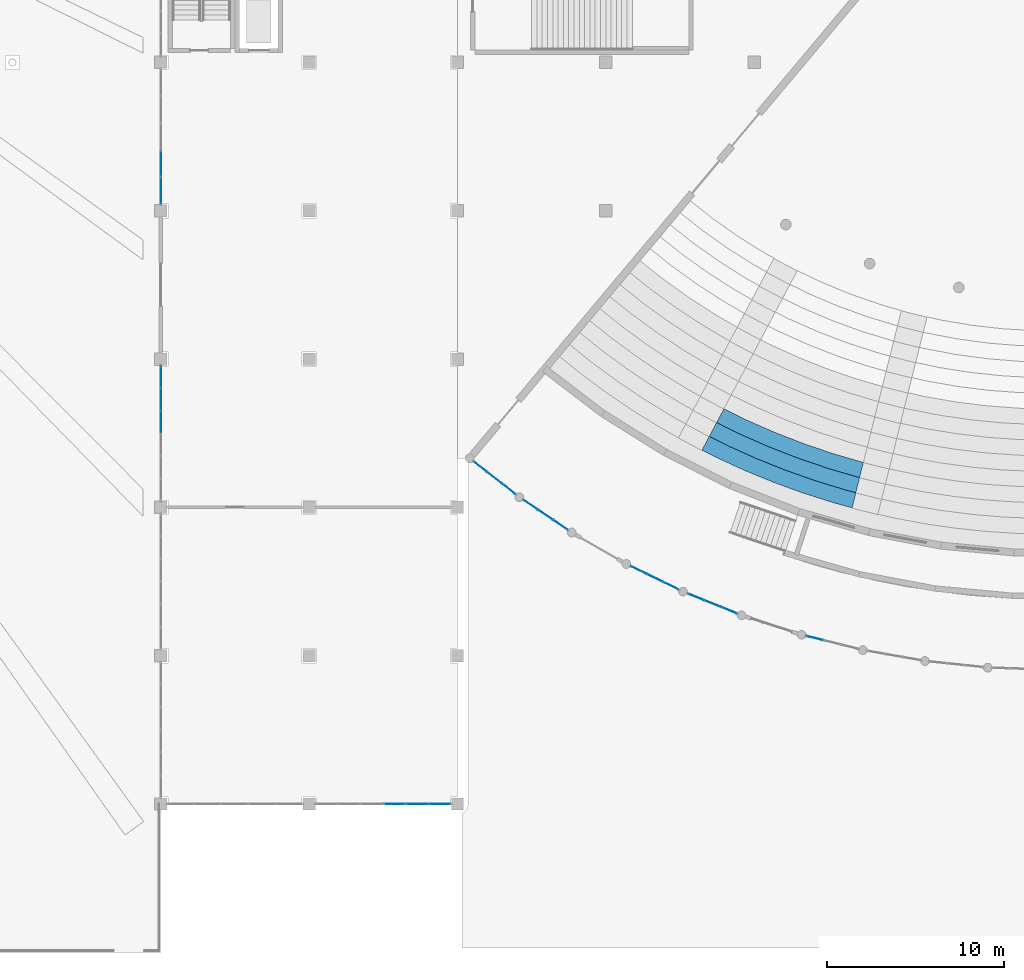
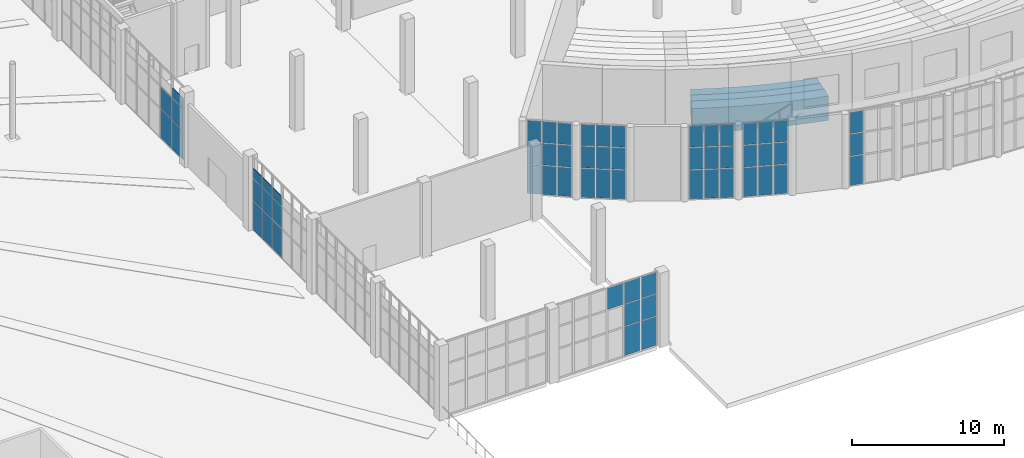
# One storey, part 84 of 210: 60 plates, 3 slabs, 8 elements without a shape of their own.
"""IFC4 building model written with IfcOpenShell, lengths in metres."""

from ifc_helpers import new_model, si_unit, direction, frame, origin, origin_2d, place, context, subcontext, project, spatial, polyline, rectangle, outline, extrude, material, layer, layer_set, type_object, element, aggregate, save


model = new_model("IFC4")

# Units and contexts
model_context = context("Model", 3, precision=1e-05, world=origin(), true_north=direction((0.0, 1.0)))
body_context = subcontext(model_context, "Body", "Model", "MODEL_VIEW")
ifc_project = project(units=[si_unit("LENGTHUNIT", "METRE"), si_unit("AREAUNIT", "SQUARE_METRE"), si_unit("VOLUMEUNIT", "CUBIC_METRE"), si_unit("PLANEANGLEUNIT", "RADIAN"), si_unit("MASSUNIT", "GRAM", prefix="KILO")], contexts=[model_context])

# Site, building, storey
site_placement = place(None, origin())
site = spatial("IfcSite", under=ifc_project, at=site_placement, CompositionType="ELEMENT")
building_placement = place(site_placement, origin())
building = spatial("IfcBuilding", under=site, at=building_placement, Name="Rain Tree Exposition and Congress Centre", CompositionType="ELEMENT")
storey_placement = place(building_placement, origin())
storey = spatial("IfcBuildingStorey", under=building, at=storey_placement, Name="L00", CompositionType="ELEMENT", Elevation=0.0)

# Curtain wall, plates
ifc_material_1 = material(Name="Aluminium", Category="aluminium")
ifc_layer_1 = layer(ifc_material_1, 0.10009765625)
ifc_layer_set_1 = layer_set([ifc_layer_1], Name="Aluminium")
curtain_wall_type = type_object("IfcCurtainWallType", Name="Curtain wall congress", PredefinedType="NOTDEFINED", material=ifc_layer_set_1)
curtain_wall_1_placement = place(storey_placement, origin())
curtain_wall_1 = element("IfcCurtainWall", 1, at=curtain_wall_1_placement, inside=storey, type_object=curtain_wall_type, Name="Curtain wall L00 bay 1", PredefinedType="NOTDEFINED")
ifc_material_2 = material(Name="Double glazed unit", Category="glass")
ifc_layer_2 = layer(ifc_material_2, 0.028076171875)
ifc_layer_set_2 = layer_set([ifc_layer_2], Name="Double glazed unit")
plate_type = type_object("IfcPlateType", Name="Glazing panel 28 congress", PredefinedType="CURTAIN_PANEL", material=ifc_layer_set_2)
plate_1_placement = place(storey_placement, frame((169.3017578125, 27.5, 0.06005859375), z_axis=(0.0, 0.0, 1.0), x_axis=(0.788003164084, -0.615671189348, 0.0)))
plate_1 = element("IfcPlate", 2, at=plate_1_placement, type_object=plate_type, Name="CWG101 panel 1.1", PredefinedType="CURTAIN_PANEL", context=body_context, shape_type="SweptSolid", body=[
    extrude(rectangle(XDim=0.9345703125, YDim=0.028076171875, at=origin_2d()), origin(), (0.0, 0.0, 1.0), 2.31005859375),
])
plate_2_placement = place(storey_placement, frame((169.3017578125, 27.5, 2.43017578125), z_axis=(0.0, 0.0, 1.0), x_axis=(0.788003164084, -0.615671189348, 0.0)))
plate_2 = element("IfcPlate", 3, at=plate_2_placement, type_object=plate_type, Name="CWG101 panel 1.2", PredefinedType="CURTAIN_PANEL", context=body_context, shape_type="SweptSolid", body=[
    extrude(rectangle(XDim=0.9345703125, YDim=0.028076171875, at=origin_2d()), origin(), (0.0, 0.0, 1.0), 1.739990234375),
])
plate_3_placement = place(storey_placement, frame((169.3017578125, 27.5, 4.22998046875), z_axis=(0.0, 0.0, 1.0), x_axis=(0.788003164084, -0.615671189348, 0.0)))
plate_3 = element("IfcPlate", 4, at=plate_3_placement, type_object=plate_type, Name="CWG101 panel 1.3", PredefinedType="CURTAIN_PANEL", context=body_context, shape_type="SweptSolid", body=[
    extrude(rectangle(XDim=0.9345703125, YDim=0.028076171875, at=origin_2d()), origin(), (0.0, 0.0, 1.0), 1.7099609375),
])
plate_4_placement = place(storey_placement, frame((170.097412109375, 26.87841796875, 0.06005859375), z_axis=(0.0, 0.0, 1.0), x_axis=(0.788003164084, -0.615671189348, 0.0)))
plate_4 = element("IfcPlate", 5, at=plate_4_placement, type_object=plate_type, Name="CWG101 panel 2.1", PredefinedType="CURTAIN_PANEL", context=body_context, shape_type="SweptSolid", body=[
    extrude(rectangle(XDim=0.964599609375, YDim=0.028076171875, at=origin_2d()), origin(), (0.0, 0.0, 1.0), 2.31005859375),
])
plate_5_placement = place(storey_placement, frame((170.097412109375, 26.87841796875, 2.43017578125), z_axis=(0.0, 0.0, 1.0), x_axis=(0.788003164084, -0.615671189348, 0.0)))
plate_5 = element("IfcPlate", 6, at=plate_5_placement, type_object=plate_type, Name="CWG101 panel 2.2", PredefinedType="CURTAIN_PANEL", context=body_context, shape_type="SweptSolid", body=[
    extrude(rectangle(XDim=0.964599609375, YDim=0.028076171875, at=origin_2d()), origin(), (0.0, 0.0, 1.0), 1.739990234375),
])
plate_6_placement = place(storey_placement, frame((170.097412109375, 26.87841796875, 4.22998046875), z_axis=(0.0, 0.0, 1.0), x_axis=(0.788003164084, -0.615671189348, 0.0)))
plate_6 = element("IfcPlate", 7, at=plate_6_placement, type_object=plate_type, Name="CWG101 panel 2.3", PredefinedType="CURTAIN_PANEL", context=body_context, shape_type="SweptSolid", body=[
    extrude(rectangle(XDim=0.964599609375, YDim=0.028076171875, at=origin_2d()), origin(), (0.0, 0.0, 1.0), 1.7099609375),
])
plate_7_placement = place(storey_placement, frame((170.892822265625, 26.2568359375, 0.06005859375), z_axis=(0.0, 0.0, 1.0), x_axis=(0.788003164084, -0.615671189348, 0.0)))
plate_7 = element("IfcPlate", 8, at=plate_7_placement, type_object=plate_type, Name="CWG101 panel 3.1", PredefinedType="CURTAIN_PANEL", context=body_context, shape_type="SweptSolid", body=[
    extrude(rectangle(XDim=0.9345703125, YDim=0.028076171875, at=origin_2d()), origin(), (0.0, 0.0, 1.0), 2.31005859375),
])
plate_8_placement = place(storey_placement, frame((170.892822265625, 26.2568359375, 2.43017578125), z_axis=(0.0, 0.0, 1.0), x_axis=(0.788003164084, -0.615671189348, 0.0)))
plate_8 = element("IfcPlate", 9, at=plate_8_placement, type_object=plate_type, Name="CWG101 panel 3.2", PredefinedType="CURTAIN_PANEL", context=body_context, shape_type="SweptSolid", body=[
    extrude(rectangle(XDim=0.9345703125, YDim=0.028076171875, at=origin_2d()), origin(), (0.0, 0.0, 1.0), 1.739990234375),
])
plate_9_placement = place(storey_placement, frame((170.892822265625, 26.2568359375, 4.22998046875), z_axis=(0.0, 0.0, 1.0), x_axis=(0.788003164084, -0.615671189348, 0.0)))
plate_9 = element("IfcPlate", 10, at=plate_9_placement, type_object=plate_type, Name="CWG101 panel 3.3", PredefinedType="CURTAIN_PANEL", context=body_context, shape_type="SweptSolid", body=[
    extrude(rectangle(XDim=0.9345703125, YDim=0.028076171875, at=origin_2d()), origin(), (0.0, 0.0, 1.0), 1.7099609375),
])
aggregate(curtain_wall_1, [plate_1, plate_2, plate_3, plate_4, plate_5, plate_6, plate_7, plate_8, plate_9])

curtain_wall_2_placement = place(storey_placement, origin())
curtain_wall_2 = element("IfcCurtainWall", 11, at=curtain_wall_2_placement, inside=storey, type_object=curtain_wall_type, Name="Curtain wall L00 bay 2", PredefinedType="NOTDEFINED")
plate_10_placement = place(storey_placement, frame((172.14990234375, 25.34375, 0.06005859375), z_axis=(0.0, 0.0, 1.0), x_axis=(0.829034948577, -0.559196793659, 0.0)))
plate_10 = element("IfcPlate", 12, at=plate_10_placement, type_object=plate_type, Name="CWG102 panel 1.1", PredefinedType="CURTAIN_PANEL", context=body_context, shape_type="SweptSolid", body=[
    extrude(rectangle(XDim=0.9345703125, YDim=0.028076171875, at=origin_2d()), origin(), (0.0, 0.0, 1.0), 2.31005859375),
])
plate_11_placement = place(storey_placement, frame((172.14990234375, 25.34375, 2.43017578125), z_axis=(0.0, 0.0, 1.0), x_axis=(0.829034948577, -0.559196793659, 0.0)))
plate_11 = element("IfcPlate", 13, at=plate_11_placement, type_object=plate_type, Name="CWG102 panel 1.2", PredefinedType="CURTAIN_PANEL", context=body_context, shape_type="SweptSolid", body=[
    extrude(rectangle(XDim=0.9345703125, YDim=0.028076171875, at=origin_2d()), origin(), (0.0, 0.0, 1.0), 1.739990234375),
])
plate_12_placement = place(storey_placement, frame((172.14990234375, 25.34375, 4.22998046875), z_axis=(0.0, 0.0, 1.0), x_axis=(0.829034948577, -0.559196793659, 0.0)))
plate_12 = element("IfcPlate", 14, at=plate_12_placement, type_object=plate_type, Name="CWG102 panel 1.3", PredefinedType="CURTAIN_PANEL", context=body_context, shape_type="SweptSolid", body=[
    extrude(rectangle(XDim=0.9345703125, YDim=0.028076171875, at=origin_2d()), origin(), (0.0, 0.0, 1.0), 1.7099609375),
])
plate_13_placement = place(storey_placement, frame((172.98681640625, 24.779052734375, 0.06005859375), z_axis=(0.0, 0.0, 1.0), x_axis=(0.829034948577, -0.559196793659, 0.0)))
plate_13 = element("IfcPlate", 15, at=plate_13_placement, type_object=plate_type, Name="CWG102 panel 2.1", PredefinedType="CURTAIN_PANEL", context=body_context, shape_type="SweptSolid", body=[
    extrude(rectangle(XDim=0.964599609375, YDim=0.028076171875, at=origin_2d()), origin(), (0.0, 0.0, 1.0), 2.31005859375),
])
plate_14_placement = place(storey_placement, frame((172.98681640625, 24.779052734375, 2.43017578125), z_axis=(0.0, 0.0, 1.0), x_axis=(0.829034948577, -0.559196793659, 0.0)))
plate_14 = element("IfcPlate", 16, at=plate_14_placement, type_object=plate_type, Name="CWG102 panel 2.2", PredefinedType="CURTAIN_PANEL", context=body_context, shape_type="SweptSolid", body=[
    extrude(rectangle(XDim=0.964599609375, YDim=0.028076171875, at=origin_2d()), origin(), (0.0, 0.0, 1.0), 1.739990234375),
])
plate_15_placement = place(storey_placement, frame((172.98681640625, 24.779052734375, 4.22998046875), z_axis=(0.0, 0.0, 1.0), x_axis=(0.829034948577, -0.559196793659, 0.0)))
plate_15 = element("IfcPlate", 17, at=plate_15_placement, type_object=plate_type, Name="CWG102 panel 2.3", PredefinedType="CURTAIN_PANEL", context=body_context, shape_type="SweptSolid", body=[
    extrude(rectangle(XDim=0.964599609375, YDim=0.028076171875, at=origin_2d()), origin(), (0.0, 0.0, 1.0), 1.7099609375),
])
plate_16_placement = place(storey_placement, frame((173.82373046875, 24.214599609375, 0.06005859375), z_axis=(0.0, 0.0, 1.0), x_axis=(0.829034948577, -0.559196793659, 0.0)))
plate_16 = element("IfcPlate", 18, at=plate_16_placement, type_object=plate_type, Name="CWG102 panel 3.1", PredefinedType="CURTAIN_PANEL", context=body_context, shape_type="SweptSolid", body=[
    extrude(rectangle(XDim=0.9345703125, YDim=0.028076171875, at=origin_2d()), origin(), (0.0, 0.0, 1.0), 2.31005859375),
])
plate_17_placement = place(storey_placement, frame((173.82373046875, 24.214599609375, 2.43017578125), z_axis=(0.0, 0.0, 1.0), x_axis=(0.829034948577, -0.559196793659, 0.0)))
plate_17 = element("IfcPlate", 19, at=plate_17_placement, type_object=plate_type, Name="CWG102 panel 3.2", PredefinedType="CURTAIN_PANEL", context=body_context, shape_type="SweptSolid", body=[
    extrude(rectangle(XDim=0.9345703125, YDim=0.028076171875, at=origin_2d()), origin(), (0.0, 0.0, 1.0), 1.739990234375),
])
plate_18_placement = place(storey_placement, frame((173.82373046875, 24.214599609375, 4.22998046875), z_axis=(0.0, 0.0, 1.0), x_axis=(0.829034948577, -0.559196793659, 0.0)))
plate_18 = element("IfcPlate", 20, at=plate_18_placement, type_object=plate_type, Name="CWG102 panel 3.3", PredefinedType="CURTAIN_PANEL", context=body_context, shape_type="SweptSolid", body=[
    extrude(rectangle(XDim=0.9345703125, YDim=0.028076171875, at=origin_2d()), origin(), (0.0, 0.0, 1.0), 1.7099609375),
])
aggregate(curtain_wall_2, [plate_10, plate_11, plate_12, plate_13, plate_14, plate_15, plate_16, plate_17, plate_18])

curtain_wall_3_placement = place(storey_placement, origin())
curtain_wall_3 = element("IfcCurtainWall", 21, at=curtain_wall_3_placement, inside=storey, type_object=curtain_wall_type, Name="Curtain wall L00 bay 4", PredefinedType="NOTDEFINED")
plate_19_placement = place(storey_placement, frame((178.26171875, 21.65234375, 0.06005859375), z_axis=(0.0, 0.0, 1.0), x_axis=(0.898795334475, -0.438368505628, 0.0)))
plate_19 = element("IfcPlate", 22, at=plate_19_placement, type_object=plate_type, Name="CWG104 panel 1.1", PredefinedType="CURTAIN_PANEL", context=body_context, shape_type="SweptSolid", body=[
    extrude(rectangle(XDim=0.9345703125, YDim=0.028076171875, at=origin_2d()), origin(), (0.0, 0.0, 1.0), 2.31005859375),
])
plate_20_placement = place(storey_placement, frame((178.26171875, 21.65234375, 2.43017578125), z_axis=(0.0, 0.0, 1.0), x_axis=(0.898795334475, -0.438368505628, 0.0)))
plate_20 = element("IfcPlate", 23, at=plate_20_placement, type_object=plate_type, Name="CWG104 panel 1.2", PredefinedType="CURTAIN_PANEL", context=body_context, shape_type="SweptSolid", body=[
    extrude(rectangle(XDim=0.9345703125, YDim=0.028076171875, at=origin_2d()), origin(), (0.0, 0.0, 1.0), 1.739990234375),
])
plate_21_placement = place(storey_placement, frame((178.26171875, 21.65234375, 4.22998046875), z_axis=(0.0, 0.0, 1.0), x_axis=(0.898795334475, -0.438368505628, 0.0)))
plate_21 = element("IfcPlate", 24, at=plate_21_placement, type_object=plate_type, Name="CWG104 panel 1.3", PredefinedType="CURTAIN_PANEL", context=body_context, shape_type="SweptSolid", body=[
    extrude(rectangle(XDim=0.9345703125, YDim=0.028076171875, at=origin_2d()), origin(), (0.0, 0.0, 1.0), 1.7099609375),
])
plate_22_placement = place(storey_placement, frame((179.169189453125, 21.209716796875, 0.06005859375), z_axis=(0.0, 0.0, 1.0), x_axis=(0.898795334475, -0.438368505628, 0.0)))
plate_22 = element("IfcPlate", 25, at=plate_22_placement, type_object=plate_type, Name="CWG104 panel 2.1", PredefinedType="CURTAIN_PANEL", context=body_context, shape_type="SweptSolid", body=[
    extrude(rectangle(XDim=0.964599609375, YDim=0.028076171875, at=origin_2d()), origin(), (0.0, 0.0, 1.0), 2.31005859375),
])
plate_23_placement = place(storey_placement, frame((179.169189453125, 21.209716796875, 2.43017578125), z_axis=(0.0, 0.0, 1.0), x_axis=(0.898795334475, -0.438368505628, 0.0)))
plate_23 = element("IfcPlate", 26, at=plate_23_placement, type_object=plate_type, Name="CWG104 panel 2.2", PredefinedType="CURTAIN_PANEL", context=body_context, shape_type="SweptSolid", body=[
    extrude(rectangle(XDim=0.964599609375, YDim=0.028076171875, at=origin_2d()), origin(), (0.0, 0.0, 1.0), 1.739990234375),
])
plate_24_placement = place(storey_placement, frame((179.169189453125, 21.209716796875, 4.22998046875), z_axis=(0.0, 0.0, 1.0), x_axis=(0.898795334475, -0.438368505628, 0.0)))
plate_24 = element("IfcPlate", 27, at=plate_24_placement, type_object=plate_type, Name="CWG104 panel 2.3", PredefinedType="CURTAIN_PANEL", context=body_context, shape_type="SweptSolid", body=[
    extrude(rectangle(XDim=0.964599609375, YDim=0.028076171875, at=origin_2d()), origin(), (0.0, 0.0, 1.0), 1.7099609375),
])
plate_25_placement = place(storey_placement, frame((180.076416015625, 20.767333984375, 0.06005859375), z_axis=(0.0, 0.0, 1.0), x_axis=(0.898795334475, -0.438368505628, 0.0)))
plate_25 = element("IfcPlate", 28, at=plate_25_placement, type_object=plate_type, Name="CWG104 panel 3.1", PredefinedType="CURTAIN_PANEL", context=body_context, shape_type="SweptSolid", body=[
    extrude(rectangle(XDim=0.9345703125, YDim=0.028076171875, at=origin_2d()), origin(), (0.0, 0.0, 1.0), 2.31005859375),
])
plate_26_placement = place(storey_placement, frame((180.076416015625, 20.767333984375, 2.43017578125), z_axis=(0.0, 0.0, 1.0), x_axis=(0.898795334475, -0.438368505628, 0.0)))
plate_26 = element("IfcPlate", 29, at=plate_26_placement, type_object=plate_type, Name="CWG104 panel 3.2", PredefinedType="CURTAIN_PANEL", context=body_context, shape_type="SweptSolid", body=[
    extrude(rectangle(XDim=0.9345703125, YDim=0.028076171875, at=origin_2d()), origin(), (0.0, 0.0, 1.0), 1.739990234375),
])
plate_27_placement = place(storey_placement, frame((180.076416015625, 20.767333984375, 4.22998046875), z_axis=(0.0, 0.0, 1.0), x_axis=(0.898795334475, -0.438368505628, 0.0)))
plate_27 = element("IfcPlate", 30, at=plate_27_placement, type_object=plate_type, Name="CWG104 panel 3.3", PredefinedType="CURTAIN_PANEL", context=body_context, shape_type="SweptSolid", body=[
    extrude(rectangle(XDim=0.9345703125, YDim=0.028076171875, at=origin_2d()), origin(), (0.0, 0.0, 1.0), 1.7099609375),
])
aggregate(curtain_wall_3, [plate_19, plate_20, plate_21, plate_22, plate_23, plate_24, plate_25, plate_26, plate_27])

curtain_wall_4_placement = place(storey_placement, origin())
curtain_wall_4 = element("IfcCurtainWall", 31, at=curtain_wall_4_placement, inside=storey, type_object=curtain_wall_type, Name="Curtain wall L00 bay 5", PredefinedType="NOTDEFINED")
plate_28_placement = place(storey_placement, frame((181.495849609375, 20.13525390625, 0.06005859375), z_axis=(0.0, 0.0, 1.0), x_axis=(0.92718773506, -0.374596988714, 0.0)))
plate_28 = element("IfcPlate", 32, at=plate_28_placement, type_object=plate_type, Name="CWG105 panel 1.1", PredefinedType="CURTAIN_PANEL", context=body_context, shape_type="SweptSolid", body=[
    extrude(rectangle(XDim=0.9345703125, YDim=0.028076171875, at=origin_2d()), origin(), (0.0, 0.0, 1.0), 2.31005859375),
])
plate_29_placement = place(storey_placement, frame((181.495849609375, 20.13525390625, 2.43017578125), z_axis=(0.0, 0.0, 1.0), x_axis=(0.92718773506, -0.374596988714, 0.0)))
plate_29 = element("IfcPlate", 33, at=plate_29_placement, type_object=plate_type, Name="CWG105 panel 1.2", PredefinedType="CURTAIN_PANEL", context=body_context, shape_type="SweptSolid", body=[
    extrude(rectangle(XDim=0.9345703125, YDim=0.028076171875, at=origin_2d()), origin(), (0.0, 0.0, 1.0), 1.739990234375),
])
plate_30_placement = place(storey_placement, frame((181.495849609375, 20.13525390625, 4.22998046875), z_axis=(0.0, 0.0, 1.0), x_axis=(0.92718773506, -0.374596988714, 0.0)))
plate_30 = element("IfcPlate", 34, at=plate_30_placement, type_object=plate_type, Name="CWG105 panel 1.3", PredefinedType="CURTAIN_PANEL", context=body_context, shape_type="SweptSolid", body=[
    extrude(rectangle(XDim=0.9345703125, YDim=0.028076171875, at=origin_2d()), origin(), (0.0, 0.0, 1.0), 1.7099609375),
])
plate_31_placement = place(storey_placement, frame((182.431884765625, 19.757080078125, 0.06005859375), z_axis=(0.0, 0.0, 1.0), x_axis=(0.92718773506, -0.374596988714, 0.0)))
plate_31 = element("IfcPlate", 35, at=plate_31_placement, type_object=plate_type, Name="CWG105 panel 2.1", PredefinedType="CURTAIN_PANEL", context=body_context, shape_type="SweptSolid", body=[
    extrude(rectangle(XDim=0.964599609375, YDim=0.028076171875, at=origin_2d()), origin(), (0.0, 0.0, 1.0), 2.31005859375),
])
plate_32_placement = place(storey_placement, frame((182.431884765625, 19.757080078125, 2.43017578125), z_axis=(0.0, 0.0, 1.0), x_axis=(0.92718773506, -0.374596988714, 0.0)))
plate_32 = element("IfcPlate", 36, at=plate_32_placement, type_object=plate_type, Name="CWG105 panel 2.2", PredefinedType="CURTAIN_PANEL", context=body_context, shape_type="SweptSolid", body=[
    extrude(rectangle(XDim=0.964599609375, YDim=0.028076171875, at=origin_2d()), origin(), (0.0, 0.0, 1.0), 1.739990234375),
])
plate_33_placement = place(storey_placement, frame((182.431884765625, 19.757080078125, 4.22998046875), z_axis=(0.0, 0.0, 1.0), x_axis=(0.92718773506, -0.374596988714, 0.0)))
plate_33 = element("IfcPlate", 37, at=plate_33_placement, type_object=plate_type, Name="CWG105 panel 2.3", PredefinedType="CURTAIN_PANEL", context=body_context, shape_type="SweptSolid", body=[
    extrude(rectangle(XDim=0.964599609375, YDim=0.028076171875, at=origin_2d()), origin(), (0.0, 0.0, 1.0), 1.7099609375),
])
plate_34_placement = place(storey_placement, frame((183.367919921875, 19.37890625, 0.06005859375), z_axis=(0.0, 0.0, 1.0), x_axis=(0.92718773506, -0.374596988714, 0.0)))
plate_34 = element("IfcPlate", 38, at=plate_34_placement, type_object=plate_type, Name="CWG105 panel 3.1", PredefinedType="CURTAIN_PANEL", context=body_context, shape_type="SweptSolid", body=[
    extrude(rectangle(XDim=0.9345703125, YDim=0.028076171875, at=origin_2d()), origin(), (0.0, 0.0, 1.0), 2.31005859375),
])
plate_35_placement = place(storey_placement, frame((183.367919921875, 19.37890625, 2.43017578125), z_axis=(0.0, 0.0, 1.0), x_axis=(0.92718773506, -0.374596988714, 0.0)))
plate_35 = element("IfcPlate", 39, at=plate_35_placement, type_object=plate_type, Name="CWG105 panel 3.2", PredefinedType="CURTAIN_PANEL", context=body_context, shape_type="SweptSolid", body=[
    extrude(rectangle(XDim=0.9345703125, YDim=0.028076171875, at=origin_2d()), origin(), (0.0, 0.0, 1.0), 1.739990234375),
])
plate_36_placement = place(storey_placement, frame((183.367919921875, 19.37890625, 4.22998046875), z_axis=(0.0, 0.0, 1.0), x_axis=(0.92718773506, -0.374596988714, 0.0)))
plate_36 = element("IfcPlate", 40, at=plate_36_placement, type_object=plate_type, Name="CWG105 panel 3.3", PredefinedType="CURTAIN_PANEL", context=body_context, shape_type="SweptSolid", body=[
    extrude(rectangle(XDim=0.9345703125, YDim=0.028076171875, at=origin_2d()), origin(), (0.0, 0.0, 1.0), 1.7099609375),
])
aggregate(curtain_wall_4, [plate_28, plate_29, plate_30, plate_31, plate_32, plate_33, plate_34, plate_35, plate_36])

curtain_wall_5_placement = place(storey_placement, origin())
curtain_wall_5 = element("IfcCurtainWall", 41, at=curtain_wall_5_placement, inside=storey, type_object=curtain_wall_type, Name="Curtain wall L00 bay 7", PredefinedType="NOTDEFINED")
plate_37_placement = place(storey_placement, frame((188.241455078125, 17.79541015625, 0.06005859375), z_axis=(0.0, 0.0, 1.0), x_axis=(0.970295408249, -0.241923171133, 0.0)))
plate_37 = element("IfcPlate", 42, at=plate_37_placement, type_object=plate_type, Name="CWG107 panel 1.1", PredefinedType="CURTAIN_PANEL", context=body_context, shape_type="SweptSolid", body=[
    extrude(rectangle(XDim=0.9345703125, YDim=0.028076171875, at=origin_2d()), origin(), (0.0, 0.0, 1.0), 2.31005859375),
])
plate_38_placement = place(storey_placement, frame((188.241455078125, 17.79541015625, 2.43017578125), z_axis=(0.0, 0.0, 1.0), x_axis=(0.970295408249, -0.241923171133, 0.0)))
plate_38 = element("IfcPlate", 43, at=plate_38_placement, type_object=plate_type, Name="CWG107 panel 1.2", PredefinedType="CURTAIN_PANEL", context=body_context, shape_type="SweptSolid", body=[
    extrude(rectangle(XDim=0.9345703125, YDim=0.028076171875, at=origin_2d()), origin(), (0.0, 0.0, 1.0), 1.739990234375),
])
plate_39_placement = place(storey_placement, frame((188.241455078125, 17.79541015625, 4.22998046875), z_axis=(0.0, 0.0, 1.0), x_axis=(0.970295408249, -0.241923171133, 0.0)))
plate_39 = element("IfcPlate", 44, at=plate_39_placement, type_object=plate_type, Name="CWG107 panel 1.3", PredefinedType="CURTAIN_PANEL", context=body_context, shape_type="SweptSolid", body=[
    extrude(rectangle(XDim=0.9345703125, YDim=0.028076171875, at=origin_2d()), origin(), (0.0, 0.0, 1.0), 1.7099609375),
])
aggregate(curtain_wall_5, [plate_37, plate_38, plate_39])

curtain_wall_6_placement = place(storey_placement, origin())
curtain_wall_6 = element("IfcCurtainWall", 45, at=curtain_wall_6_placement, inside=storey, type_object=curtain_wall_type, Name="Foyer curtain wall L00 bay 3", PredefinedType="NOTDEFINED")
plate_40_placement = place(storey_placement, frame((151.199951171875, 30.041748046875, 0.06005859375), z_axis=(0.0, 0.0, 1.0), x_axis=(0.0, 1.0, 0.0)))
plate_40 = element("IfcPlate", 46, at=plate_40_placement, type_object=plate_type, Name="CWG303 panel 4.1", PredefinedType="CURTAIN_PANEL", context=body_context, shape_type="SweptSolid", body=[
    extrude(rectangle(XDim=1.223388671875, YDim=0.028076171875, at=origin_2d()), origin(), (0.0, 0.0, 1.0), 2.31005859375),
])
plate_41_placement = place(storey_placement, frame((151.199951171875, 30.041748046875, 2.43017578125), z_axis=(0.0, 0.0, 1.0), x_axis=(0.0, 1.0, 0.0)))
plate_41 = element("IfcPlate", 47, at=plate_41_placement, type_object=plate_type, Name="CWG303 panel 4.2", PredefinedType="CURTAIN_PANEL", context=body_context, shape_type="SweptSolid", body=[
    extrude(rectangle(XDim=1.223388671875, YDim=0.028076171875, at=origin_2d()), origin(), (0.0, 0.0, 1.0), 1.739990234375),
])
plate_42_placement = place(storey_placement, frame((151.199951171875, 30.041748046875, 4.22998046875), z_axis=(0.0, 0.0, 1.0), x_axis=(0.0, 1.0, 0.0)))
plate_42 = element("IfcPlate", 48, at=plate_42_placement, type_object=plate_type, Name="CWG303 panel 4.3", PredefinedType="CURTAIN_PANEL", context=body_context, shape_type="SweptSolid", body=[
    extrude(rectangle(XDim=1.223388671875, YDim=0.028076171875, at=origin_2d()), origin(), (0.0, 0.0, 1.0), 0.7900390625),
])
plate_43_placement = place(storey_placement, frame((151.199951171875, 31.324951171875, 0.06005859375), z_axis=(0.0, 0.0, 1.0), x_axis=(0.0, 1.0, 0.0)))
plate_43 = element("IfcPlate", 49, at=plate_43_placement, type_object=plate_type, Name="CWG303 panel 5.1", PredefinedType="CURTAIN_PANEL", context=body_context, shape_type="SweptSolid", body=[
    extrude(rectangle(XDim=1.223388671875, YDim=0.028076171875, at=origin_2d()), origin(), (0.0, 0.0, 1.0), 2.31005859375),
])
plate_44_placement = place(storey_placement, frame((151.199951171875, 31.324951171875, 2.43017578125), z_axis=(0.0, 0.0, 1.0), x_axis=(0.0, 1.0, 0.0)))
plate_44 = element("IfcPlate", 50, at=plate_44_placement, type_object=plate_type, Name="CWG303 panel 5.2", PredefinedType="CURTAIN_PANEL", context=body_context, shape_type="SweptSolid", body=[
    extrude(rectangle(XDim=1.223388671875, YDim=0.028076171875, at=origin_2d()), origin(), (0.0, 0.0, 1.0), 1.739990234375),
])
plate_45_placement = place(storey_placement, frame((151.199951171875, 31.324951171875, 4.22998046875), z_axis=(0.0, 0.0, 1.0), x_axis=(0.0, 1.0, 0.0)))
plate_45 = element("IfcPlate", 51, at=plate_45_placement, type_object=plate_type, Name="CWG303 panel 5.3", PredefinedType="CURTAIN_PANEL", context=body_context, shape_type="SweptSolid", body=[
    extrude(rectangle(XDim=1.223388671875, YDim=0.028076171875, at=origin_2d()), origin(), (0.0, 0.0, 1.0), 0.7900390625),
])
plate_46_placement = place(storey_placement, frame((151.199951171875, 32.59326171875, 0.06005859375), z_axis=(0.0, 0.0, 1.0), x_axis=(0.0, 1.0, 0.0)))
plate_46 = element("IfcPlate", 52, at=plate_46_placement, type_object=plate_type, Name="CWG303 panel 6.1", PredefinedType="CURTAIN_PANEL", context=body_context, shape_type="SweptSolid", body=[
    extrude(rectangle(XDim=1.193359375, YDim=0.028076171875, at=origin_2d()), origin(), (0.0, 0.0, 1.0), 2.31005859375),
])
plate_47_placement = place(storey_placement, frame((151.199951171875, 32.59326171875, 2.43017578125), z_axis=(0.0, 0.0, 1.0), x_axis=(0.0, 1.0, 0.0)))
plate_47 = element("IfcPlate", 53, at=plate_47_placement, type_object=plate_type, Name="CWG303 panel 6.2", PredefinedType="CURTAIN_PANEL", context=body_context, shape_type="SweptSolid", body=[
    extrude(rectangle(XDim=1.193359375, YDim=0.028076171875, at=origin_2d()), origin(), (0.0, 0.0, 1.0), 1.739990234375),
])
plate_48_placement = place(storey_placement, frame((151.199951171875, 32.59326171875, 4.22998046875), z_axis=(0.0, 0.0, 1.0), x_axis=(0.0, 1.0, 0.0)))
plate_48 = element("IfcPlate", 54, at=plate_48_placement, type_object=plate_type, Name="CWG303 panel 6.3", PredefinedType="CURTAIN_PANEL", context=body_context, shape_type="SweptSolid", body=[
    extrude(rectangle(XDim=1.193359375, YDim=0.028076171875, at=origin_2d()), origin(), (0.0, 0.0, 1.0), 0.7900390625),
])
aggregate(curtain_wall_6, [plate_40, plate_41, plate_42, plate_43, plate_44, plate_45, plate_46, plate_47, plate_48])

curtain_wall_7_placement = place(storey_placement, origin())
curtain_wall_7 = element("IfcCurtainWall", 55, at=curtain_wall_7_placement, inside=storey, type_object=curtain_wall_type, Name="Foyer curtain wall L00 bay 5", PredefinedType="NOTDEFINED")
plate_49_placement = place(storey_placement, frame((151.199951171875, 43.135009765625, 0.06005859375), z_axis=(0.0, 0.0, 1.0), x_axis=(0.0, 1.0, 0.0)))
plate_49 = element("IfcPlate", 56, at=plate_49_placement, type_object=plate_type, Name="CWG305 panel 1.1", PredefinedType="CURTAIN_PANEL", context=body_context, shape_type="SweptSolid", body=[
    extrude(rectangle(XDim=1.449951171875, YDim=0.028076171875, at=origin_2d()), origin(), (0.0, 0.0, 1.0), 2.31005859375),
])
plate_50_placement = place(storey_placement, frame((151.199951171875, 43.135009765625, 2.43017578125), z_axis=(0.0, 0.0, 1.0), x_axis=(0.0, 1.0, 0.0)))
plate_50 = element("IfcPlate", 57, at=plate_50_placement, type_object=plate_type, Name="CWG305 panel 1.2", PredefinedType="CURTAIN_PANEL", context=body_context, shape_type="SweptSolid", body=[
    extrude(rectangle(XDim=1.449951171875, YDim=0.028076171875, at=origin_2d()), origin(), (0.0, 0.0, 1.0), 1.739990234375),
])
plate_51_placement = place(storey_placement, frame((151.199951171875, 43.135009765625, 4.22998046875), z_axis=(0.0, 0.0, 1.0), x_axis=(0.0, 1.0, 0.0)))
plate_51 = element("IfcPlate", 58, at=plate_51_placement, type_object=plate_type, Name="CWG305 panel 1.3", PredefinedType="CURTAIN_PANEL", context=body_context, shape_type="SweptSolid", body=[
    extrude(rectangle(XDim=1.449951171875, YDim=0.028076171875, at=origin_2d()), origin(), (0.0, 0.0, 1.0), 0.7900390625),
])
plate_52_placement = place(storey_placement, frame((151.199951171875, 44.659912109375, 0.06005859375), z_axis=(0.0, 0.0, 1.0), x_axis=(0.0, 1.0, 0.0)))
plate_52 = element("IfcPlate", 59, at=plate_52_placement, type_object=plate_type, Name="CWG305 panel 2.1", PredefinedType="CURTAIN_PANEL", context=body_context, shape_type="SweptSolid", body=[
    extrude(rectangle(XDim=1.47998046875, YDim=0.028076171875, at=origin_2d()), origin(), (0.0, 0.0, 1.0), 2.31005859375),
])
plate_53_placement = place(storey_placement, frame((151.199951171875, 44.659912109375, 2.43017578125), z_axis=(0.0, 0.0, 1.0), x_axis=(0.0, 1.0, 0.0)))
plate_53 = element("IfcPlate", 60, at=plate_53_placement, type_object=plate_type, Name="CWG305 panel 2.2", PredefinedType="CURTAIN_PANEL", context=body_context, shape_type="SweptSolid", body=[
    extrude(rectangle(XDim=1.47998046875, YDim=0.028076171875, at=origin_2d()), origin(), (0.0, 0.0, 1.0), 1.739990234375),
])
aggregate(curtain_wall_7, [plate_49, plate_50, plate_51, plate_52, plate_53])

curtain_wall_8_placement = place(storey_placement, origin())
curtain_wall_8 = element("IfcCurtainWall", 61, at=curtain_wall_8_placement, inside=storey, type_object=curtain_wall_type, Name="Foyer south curtain wall L00 bay 2", PredefinedType="NOTDEFINED")
plate_54_placement = place(storey_placement, frame((164.441650390625, 8.39990234375, 4.22998046875), z_axis=(0.0, 0.0, 1.0), x_axis=(1.0, 0.0, 0.0)))
plate_54 = element("IfcPlate", 62, at=plate_54_placement, type_object=plate_type, Name="CWG502 panel 4.3", PredefinedType="CURTAIN_PANEL", context=body_context, shape_type="SweptSolid", body=[
    extrude(rectangle(XDim=1.223388671875, YDim=0.028076171875, at=origin_2d()), origin(), (0.0, 0.0, 1.0), 1.7099609375),
])
plate_55_placement = place(storey_placement, frame((165.72509765625, 8.39990234375, 0.06005859375), z_axis=(0.0, 0.0, 1.0), x_axis=(1.0, 0.0, 0.0)))
plate_55 = element("IfcPlate", 63, at=plate_55_placement, type_object=plate_type, Name="CWG502 panel 5.1", PredefinedType="CURTAIN_PANEL", context=body_context, shape_type="SweptSolid", body=[
    extrude(rectangle(XDim=1.223388671875, YDim=0.028076171875, at=origin_2d()), origin(), (0.0, 0.0, 1.0), 2.31005859375),
])
plate_56_placement = place(storey_placement, frame((165.72509765625, 8.39990234375, 2.43017578125), z_axis=(0.0, 0.0, 1.0), x_axis=(1.0, 0.0, 0.0)))
plate_56 = element("IfcPlate", 64, at=plate_56_placement, type_object=plate_type, Name="CWG502 panel 5.2", PredefinedType="CURTAIN_PANEL", context=body_context, shape_type="SweptSolid", body=[
    extrude(rectangle(XDim=1.223388671875, YDim=0.028076171875, at=origin_2d()), origin(), (0.0, 0.0, 1.0), 1.739990234375),
])
plate_57_placement = place(storey_placement, frame((165.72509765625, 8.39990234375, 4.22998046875), z_axis=(0.0, 0.0, 1.0), x_axis=(1.0, 0.0, 0.0)))
plate_57 = element("IfcPlate", 65, at=plate_57_placement, type_object=plate_type, Name="CWG502 panel 5.3", PredefinedType="CURTAIN_PANEL", context=body_context, shape_type="SweptSolid", body=[
    extrude(rectangle(XDim=1.223388671875, YDim=0.028076171875, at=origin_2d()), origin(), (0.0, 0.0, 1.0), 1.7099609375),
])
plate_58_placement = place(storey_placement, frame((166.993408203125, 8.39990234375, 0.06005859375), z_axis=(0.0, 0.0, 1.0), x_axis=(1.0, 0.0, 0.0)))
plate_58 = element("IfcPlate", 66, at=plate_58_placement, type_object=plate_type, Name="CWG502 panel 6.1", PredefinedType="CURTAIN_PANEL", context=body_context, shape_type="SweptSolid", body=[
    extrude(rectangle(XDim=1.193359375, YDim=0.028076171875, at=origin_2d()), origin(), (0.0, 0.0, 1.0), 2.31005859375),
])
plate_59_placement = place(storey_placement, frame((166.993408203125, 8.39990234375, 2.43017578125), z_axis=(0.0, 0.0, 1.0), x_axis=(1.0, 0.0, 0.0)))
plate_59 = element("IfcPlate", 67, at=plate_59_placement, type_object=plate_type, Name="CWG502 panel 6.2", PredefinedType="CURTAIN_PANEL", context=body_context, shape_type="SweptSolid", body=[
    extrude(rectangle(XDim=1.193359375, YDim=0.028076171875, at=origin_2d()), origin(), (0.0, 0.0, 1.0), 1.739990234375),
])
plate_60_placement = place(storey_placement, frame((166.993408203125, 8.39990234375, 4.22998046875), z_axis=(0.0, 0.0, 1.0), x_axis=(1.0, 0.0, 0.0)))
plate_60 = element("IfcPlate", 68, at=plate_60_placement, type_object=plate_type, Name="CWG502 panel 6.3", PredefinedType="CURTAIN_PANEL", context=body_context, shape_type="SweptSolid", body=[
    extrude(rectangle(XDim=1.193359375, YDim=0.028076171875, at=origin_2d()), origin(), (0.0, 0.0, 1.0), 1.7099609375),
])
aggregate(curtain_wall_8, [plate_54, plate_55, plate_56, plate_57, plate_58, plate_59, plate_60])

# Slabs
ifc_material_3 = material(Name="Precast concrete C50/60", Category="concrete")
ifc_layer_3 = layer(ifc_material_3, 0.300048828125)
ifc_layer_set_3 = layer_set([ifc_layer_3], Name="Precast concrete C50/60")
slab_type = type_object("IfcSlabType", Name="Terrace step slab 300", PredefinedType="FLOOR", material=ifc_layer_set_3)
slab_1_placement = place(storey_placement, origin())
element("IfcSlab", 69, at=slab_1_placement, inside=storey, type_object=slab_type, Name="Stalls tier row 11", ObjectType="SEATING TIER", PredefinedType="USERDEFINED", context=body_context, shape_type="SweptSolid", body=[
    extrude(outline(polyline([(189.047607421875, 27.38916015625), (190.775390625, 26.885498046875), (190.989990234375, 27.745361328125), (189.31396484375, 28.23388671875), (187.6259765625, 28.806884765625), (185.964599609375, 29.452880859375), (184.3330078125, 30.1708984375), (183.08740234375, 30.78515625), (182.67138671875, 30.0029296875), (183.958740234375, 29.3681640625), (185.625732421875, 28.634521484375), (187.322998046875, 27.974609375), (189.047607421875, 27.38916015625)])), origin(), (0.0, 0.0, 1.0), 1.64990234375),
])
slab_2_placement = place(storey_placement, origin())
element("IfcSlab", 70, at=slab_2_placement, inside=storey, type_object=slab_type, Name="Stalls tier row 12", ObjectType="SEATING TIER", PredefinedType="USERDEFINED", context=body_context, shape_type="SweptSolid", body=[
    extrude(outline(polyline([(190.0234375, 26.17333984375), (190.56298828125, 26.033447265625), (190.775390625, 26.885498046875), (189.047607421875, 27.38916015625), (187.322998046875, 27.974609375), (185.625732421875, 28.634521484375), (183.958740234375, 29.3681640625), (182.67138671875, 30.0029296875), (182.256591796875, 29.222900390625), (183.278564453125, 28.70947265625), (184.9228515625, 27.968994140625), (186.597412109375, 27.298583984375), (188.298583984375, 26.69970703125), (190.0234375, 26.17333984375)])), origin(), (0.0, 0.0, 1.0), 1.800048828125),
])
slab_3_placement = place(storey_placement, origin())
element("IfcSlab", 71, at=slab_3_placement, inside=storey, type_object=slab_type, Name="Stalls tier row 13", ObjectType="SEATING TIER", PredefinedType="USERDEFINED", context=body_context, shape_type="SweptSolid", body=[
    extrude(outline(polyline([(189.2626953125, 25.47119140625), (190.348876953125, 25.17431640625), (190.56298828125, 26.033447265625), (190.0234375, 26.17333984375), (188.298583984375, 26.69970703125), (186.597412109375, 27.298583984375), (184.9228515625, 27.968994140625), (183.278564453125, 28.70947265625), (182.256591796875, 29.222900390625), (181.8408203125, 28.44091796875), (182.60498046875, 28.050537109375), (184.228271484375, 27.3037109375), (185.880859375, 26.6240234375), (187.559814453125, 26.012939453125), (189.2626953125, 25.47119140625)])), origin(), (0.0, 0.0, 1.0), 1.949951171875),
])

save(model, "model.ifc")
